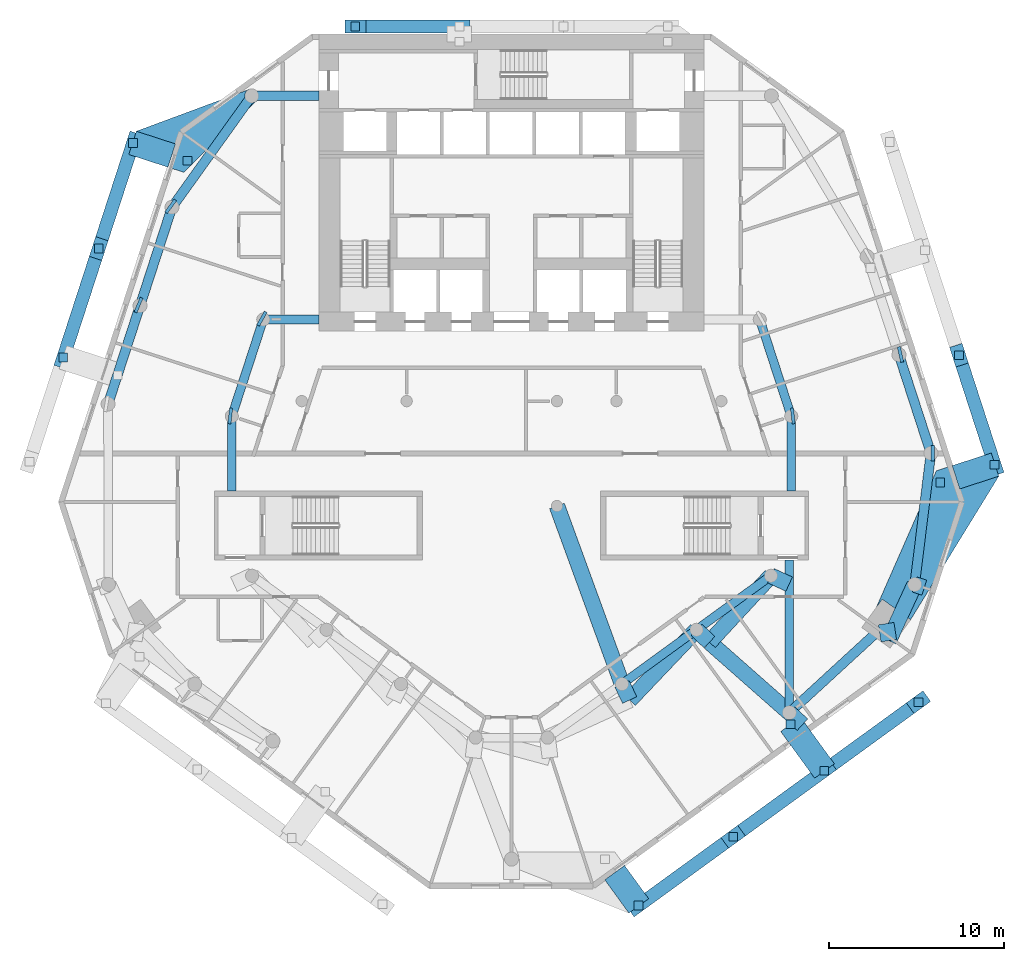
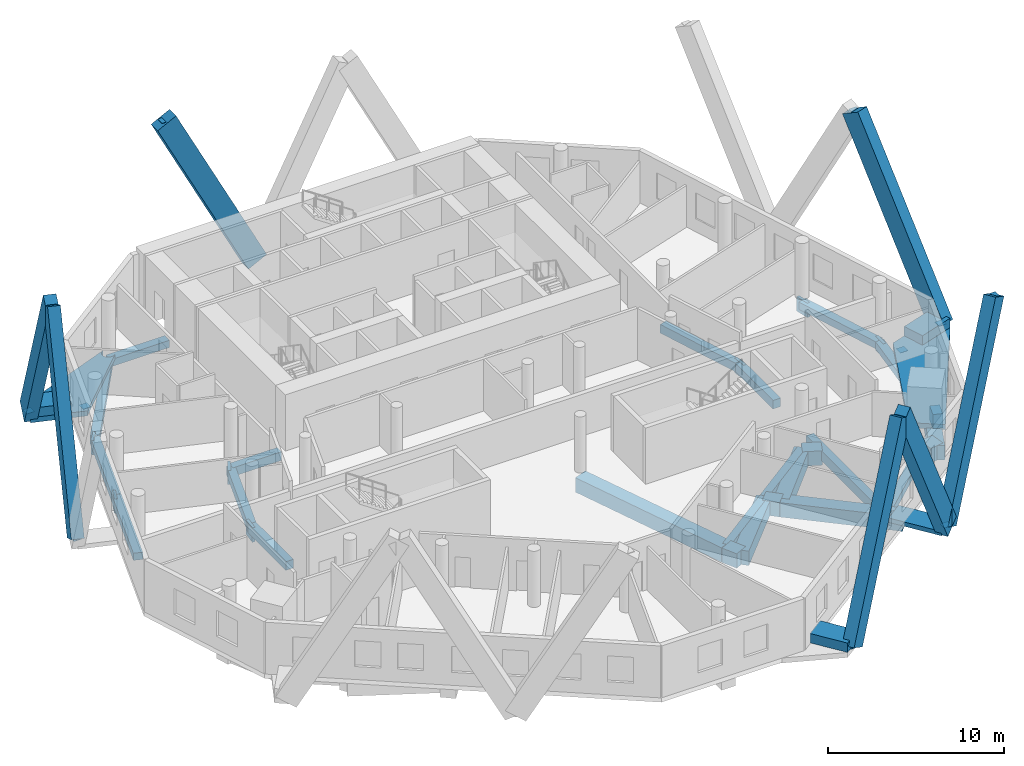
# One storey, part 2 of 11: 33 beams, 13 discrete accessories, 13 members.
"""IFC4 building model written with IfcOpenShell, lengths in metres."""

from ifc_helpers import new_model, si_unit, direction, frame, origin, origin_2d, place, context, subcontext, project, spatial, polyline, rectangle, outline, extrude, material, layer, layer_set, material_profile, profile_set, type_object, element, aggregate, save


model = new_model("IFC4")

# Units and contexts
model_context = context("Model", 3, precision=1e-05, world=origin(), true_north=direction((0.0, 1.0)))
body_context = subcontext(model_context, "Body", "Model", "MODEL_VIEW")
ifc_project = project(units=[si_unit("LENGTHUNIT", "METRE"), si_unit("AREAUNIT", "SQUARE_METRE"), si_unit("VOLUMEUNIT", "CUBIC_METRE"), si_unit("PLANEANGLEUNIT", "RADIAN"), si_unit("MASSUNIT", "GRAM", prefix="KILO")], contexts=[model_context])

# Site, building, storey
site_placement = place(None, origin())
site = spatial("IfcSite", under=ifc_project, at=site_placement, CompositionType="ELEMENT")
building_placement = place(site_placement, origin())
building = spatial("IfcBuilding", under=site, at=building_placement, Name="White Candle Pilgrim Tower", CompositionType="ELEMENT")
storey_placement = place(building_placement, frame((0.0, 0.0, 90.800048828125)))
storey = spatial("IfcBuildingStorey", under=building, at=storey_placement, Name="L19", CompositionType="ELEMENT", Elevation=90.800048828125)

# Member
ifc_material_1 = material(Name="Concrete C80/95, white", Category="concrete")
ifc_material_profile_1 = material_profile(ifc_material_1, rectangle(XDim=0.75, YDim=1.35009765625, at=origin_2d()), Name="RC-DG 750x1350")
ifc_profile_set_1 = profile_set([ifc_material_profile_1], Name="Concrete C80/95, white")
member_type_1 = type_object("IfcMemberType", Name="Exoskeleton diagonal RC-DG 750x1350 C80/95", PredefinedType="BRACE", material=ifc_profile_set_1)
member_1_placement = place(storey_placement, frame((67.02099609375, 88.425048828125, 0.0), z_axis=(-0.453783992732, 0.0, 0.891111714624), x_axis=(0.0, -1.0, 0.0)))
member_1 = element("IfcMember", 1, at=member_1_placement, inside=storey, type_object=member_type_1, Name="Exoskeleton diagonal EX063", PredefinedType="BRACE", context=body_context, shape_type="SweptSolid", body=[
    extrude(rectangle(XDim=0.75, YDim=1.35009765625, at=origin_2d()), origin(), (0.0, 0.0, 1.0), 13.129638671875),
])

member_2_placement = place(storey_placement, frame((97.630859375, 63.360107421875, 0.0), z_axis=(-0.151651158784, 0.466716850015, 0.871307814697), x_axis=(-0.951053125588, -0.309027429705, 0.0)))
member_2 = element("IfcMember", 2, at=member_2_placement, inside=storey, type_object=member_type_1, Name="Exoskeleton diagonal EX073", PredefinedType="BRACE", context=body_context, shape_type="SweptSolid", body=[
    extrude(rectangle(XDim=0.75, YDim=1.35009765625, at=origin_2d()), origin(), (0.0, 0.0, 1.0), 13.427978515625),
])

member_3_placement = place(storey_placement, frame((77.265380859375, 38.1455078125, 0.0), z_axis=(0.40163549083, 0.291812012685, 0.868063754432), x_axis=(-0.58779414841, 0.809010530893, 0.0)))
member_3 = element("IfcMember", 3, at=member_3_placement, inside=storey, type_object=member_type_1, Name="Exoskeleton diagonal EX085", PredefinedType="BRACE", context=body_context, shape_type="SweptSolid", body=[
    extrude(rectangle(XDim=0.75, YDim=1.35009765625, at=origin_2d()), origin(), (0.0, 0.0, 1.0), 13.478271484375),
])

member_4_placement = place(storey_placement, frame((87.88818359375, 45.86328125, 0.0), z_axis=(-0.390081879171, -0.283393443196, 0.876084632839), x_axis=(0.58776131811, -0.809034383036, 0.0)))
member_4 = element("IfcMember", 4, at=member_4_placement, inside=storey, type_object=member_type_1, Name="Exoskeleton diagonal EX086", PredefinedType="BRACE", context=body_context, shape_type="SweptSolid", body=[
    extrude(rectangle(XDim=0.75, YDim=1.35009765625, at=origin_2d()), origin(), (0.0, 0.0, 1.0), 13.354736328125),
])

member_5_placement = place(storey_placement, frame((87.88818359375, 45.86328125, 0.0), z_axis=(0.400432720764, 0.290936990599, 0.868912713478), x_axis=(-0.587792643256, 0.809011624474, 0.0)))
member_5 = element("IfcMember", 5, at=member_5_placement, inside=storey, type_object=member_type_1, Name="Exoskeleton diagonal EX087", PredefinedType="BRACE", context=body_context, shape_type="SweptSolid", body=[
    extrude(rectangle(XDim=0.75, YDim=1.35009765625, at=origin_2d()), origin(), (0.0, 0.0, 1.0), 13.465087890625),
])

member_6_placement = place(storey_placement, frame((48.34912109375, 81.764404296875, 0.0), z_axis=(-0.147412024037, -0.453698191423, 0.878878629999), x_axis=(0.951058644482, -0.309010444413, 0.0)))
member_6 = element("IfcMember", 6, at=member_6_placement, inside=storey, type_object=member_type_1, Name="Exoskeleton diagonal EX109", PredefinedType="BRACE", context=body_context, shape_type="SweptSolid", body=[
    extrude(rectangle(XDim=0.75, YDim=1.35009765625, at=origin_2d()), origin(), (0.0, 0.0, 1.0), 13.312255859375),
])

member_7_placement = place(storey_placement, frame((44.362548828125, 69.494873046875, 0.0), z_axis=(0.150958396212, 0.464600819702, 0.872558101759), x_axis=(-0.951056252185, 0.309017807221, 0.0)))
member_7 = element("IfcMember", 7, at=member_7_placement, inside=storey, type_object=member_type_1, Name="Exoskeleton diagonal EX110", PredefinedType="BRACE", context=body_context, shape_type="SweptSolid", body=[
    extrude(rectangle(XDim=0.75, YDim=1.35009765625, at=origin_2d()), origin(), (0.0, 0.0, 1.0), 13.40869140625),
])

ifc_material_2 = material(Name="Concrete C70/85, white", Category="concrete")
ifc_layer_1 = layer(ifc_material_2, 0.300048828125)
ifc_layer_set_1 = layer_set([ifc_layer_1], Name="Node tie strut 3300x1400x300 C70/85")
member_type_2 = type_object("IfcMemberType", Name="Node tie strut 3300x1400x300 C70/85", PredefinedType="STRUT", material=ifc_layer_set_1)
member_8_placement = place(storey_placement, frame((0.0, 0.0, -0.35009765625)))
member_8 = element("IfcMember", 8, at=member_8_placement, inside=storey, type_object=member_type_2, Name="Node tie strut NC051", PredefinedType="STRUT", context=body_context, shape_type="SweptSolid", body=[
    extrude(outline(polyline([(92.826904296875, 54.4912109375), (97.870849609375, 62.7021484375), (97.438232421875, 64.03369140625), (94.2998046875, 63.013916015625), (90.859130859375, 55.185791015625), (91.208740234375, 55.666748046875), (92.826904296875, 54.4912109375)])), origin(), (0.0, 0.0, 1.0), 0.35009765625),
])

# Members
member_9_placement = place(storey_placement, origin())
element("IfcMember", 9, at=member_9_placement, inside=storey, type_object=member_type_2, Name="Node tie strut NC051", PredefinedType="STRUT", context=body_context, shape_type="SweptSolid", body=[
    extrude(outline(polyline([(95.635986328125, 61.97607421875), (97.870849609375, 62.7021484375), (97.438232421875, 64.03369140625), (95.203369140625, 63.3076171875), (95.635986328125, 61.97607421875)])), origin(), (0.0, 0.0, 1.0), 0.64990234375),
])
member_10_placement = place(storey_placement, origin())
element("IfcMember", 10, at=member_10_placement, inside=storey, type_object=member_type_2, Name="Node tie strut NC055", PredefinedType="STRUT", context=body_context, shape_type="SweptSolid", body=[
    extrude(outline(polyline([(76.713623046875, 37.7138671875), (77.84619140625, 38.53662109375), (76.465087890625, 40.437744140625), (75.33251953125, 39.614990234375), (76.713623046875, 37.7138671875)])), origin(), (0.0, 0.0, 1.0), 0.64990234375),
])

# Member
member_11_placement = place(storey_placement, frame((86.93310546875, 47.177978515625, -0.30029296875), z_axis=(0.0, 0.0, 1.0), x_axis=(0.809016994375, 0.587785252292, 0.0)))
member_11 = element("IfcMember", 11, at=member_11_placement, inside=storey, type_object=member_type_2, Name="Node tie strut NC056", PredefinedType="STRUT", context=body_context, shape_type="SweptSolid", body=[
    extrude(rectangle(XDim=1.39990234375, YDim=3.300048828125, at=origin_2d()), origin(), (0.0, 0.0, 1.0), 0.300048828125),
])

member_12_placement = place(storey_placement, frame((0.0, 0.0, -0.35009765625)))
member_12 = element("IfcMember", 12, at=member_12_placement, inside=storey, type_object=member_type_2, Name="Node tie strut NC059", PredefinedType="STRUT", context=body_context, shape_type="SweptSolid", body=[
    extrude(outline(polyline([(51.247314453125, 80.086669921875), (55.4228515625, 84.17724609375), (55.40380859375, 84.1591796875), (55.383544921875, 84.142578125), (55.3623046875, 84.12744140625), (55.340087890625, 84.113525390625), (55.31689453125, 84.101318359375), (55.293212890625, 84.09033203125), (55.2685546875, 84.081298828125), (55.243408203125, 84.073486328125), (55.218017578125, 84.067626953125), (55.192138671875, 84.0634765625), (55.166259765625, 84.060791015625), (55.139892578125, 84.06005859375), (55.11376953125, 84.060791015625), (55.087890625, 84.0634765625), (55.06201171875, 84.067626953125), (55.03662109375, 84.073486328125), (55.011474609375, 84.081298828125), (54.98681640625, 84.09033203125), (54.963134765625, 84.101318359375), (54.93994140625, 84.113525390625), (54.917724609375, 84.12744140625), (54.896484375, 84.142578125), (54.876220703125, 84.1591796875), (54.857177734375, 84.17724609375), (54.83935546875, 84.1962890625), (54.82275390625, 84.216552734375), (54.807373046875, 84.23779296875), (54.793701171875, 84.260009765625), (54.78125, 84.283203125), (54.7705078125, 84.306884765625), (54.76123046875, 84.331298828125), (54.753662109375, 84.3564453125), (54.747802734375, 84.382080078125), (54.743408203125, 84.40771484375), (54.740966796875, 84.433837890625), (54.739990234375, 84.4599609375), (54.740966796875, 84.486083984375), (54.743408203125, 84.51220703125), (54.747802734375, 84.5380859375), (54.753662109375, 84.5634765625), (54.76123046875, 84.588623046875), (54.7705078125, 84.613037109375), (54.78125, 84.636962890625), (54.793701171875, 84.659912109375), (54.807373046875, 84.68212890625), (54.82275390625, 84.70361328125), (54.83935546875, 84.7236328125), (54.857177734375, 84.742919921875), (54.876220703125, 84.7607421875), (54.896484375, 84.77734375), (54.917724609375, 84.79248046875), (54.93994140625, 84.806396484375), (54.963134765625, 84.818603515625), (54.98681640625, 84.82958984375), (55.011474609375, 84.8388671875), (48.54150390625, 82.437744140625), (48.10888671875, 81.106201171875), (51.247314453125, 80.086669921875)])), origin(), (0.0, 0.0, 1.0), 0.35009765625),
])

member_13_placement = place(storey_placement, origin())
element("IfcMember", 13, at=member_13_placement, inside=storey, type_object=member_type_2, Name="Node tie strut NC059", PredefinedType="STRUT", context=body_context, shape_type="SweptSolid", body=[
    extrude(outline(polyline([(50.343994140625, 80.380126953125), (50.776611328125, 81.711669921875), (48.54150390625, 82.437744140625), (48.10888671875, 81.106201171875), (50.343994140625, 80.380126953125)])), origin(), (0.0, 0.0, 1.0), 0.64990234375),
])

# Beams
ifc_material_3 = material(Name="Concrete C50/60", Category="concrete")
ifc_material_profile_2 = material_profile(ifc_material_3, rectangle(XDim=0.5, YDim=0.60009765625, at=origin_2d()), Name="RC-BM 500x600")
ifc_profile_set_2 = profile_set([ifc_material_profile_2], Name="Concrete C50/60")
beam_type_1 = type_object("IfcBeamType", Name="Ring beam RC-BM 500x600 C50/60", PredefinedType="BEAM", material=ifc_profile_set_2)
beam_1_placement = place(storey_placement, frame((76.320068359375, 50.820068359375, -0.60009765625), z_axis=(0.808585766175, 0.588378329596, 0.0), x_axis=(-0.588378329596, 0.808585766175, 0.0)))
element("IfcBeam", 14, at=beam_1_placement, inside=storey, type_object=beam_type_1, Name="L19 ring beam R06", PredefinedType="BEAM", context=body_context, shape_type="SweptSolid", body=[
    extrude(rectangle(XDim=0.5, YDim=0.60009765625, at=origin_2d()), origin(), (0.0, 0.0, 1.0), 5.2685546875),
])
beam_2_placement = place(storey_placement, frame((80.580078125, 53.919921875, -0.60009765625), z_axis=(0.809467675096, 0.587164442873, 0.0), x_axis=(-0.587164442873, 0.809467675096, 0.0)))
element("IfcBeam", 15, at=beam_2_placement, inside=storey, type_object=beam_type_1, Name="L19 ring beam R07", PredefinedType="BEAM", context=body_context, shape_type="SweptSolid", body=[
    extrude(rectangle(XDim=0.5, YDim=0.60009765625, at=origin_2d()), origin(), (0.0, 0.0, 1.0), 5.2626953125),
])
beam_3_placement = place(storey_placement, frame((86.0, 66.139892578125, -0.60009765625), z_axis=(0.0, -1.0, 0.0), x_axis=(1.0, 0.0, 0.0)))
element("IfcBeam", 16, at=beam_3_placement, inside=storey, type_object=beam_type_1, Name="L19 ring beam R08", PredefinedType="BEAM", context=body_context, shape_type="SweptSolid", body=[
    extrude(rectangle(XDim=0.5, YDim=0.60009765625, at=origin_2d()), origin(), (0.0, 0.0, 1.0), 4.289794921875),
])
beam_4_placement = place(storey_placement, frame((86.0, 66.139892578125, -0.60009765625), z_axis=(-0.309519843253, 0.950892983796, 0.0), x_axis=(-0.950892983796, -0.309519843253, 0.0)))
element("IfcBeam", 17, at=beam_4_placement, inside=storey, type_object=beam_type_1, Name="L19 ring beam R09", PredefinedType="BEAM", context=body_context, shape_type="SweptSolid", body=[
    extrude(rectangle(XDim=0.5, YDim=0.60009765625, at=origin_2d()), origin(), (0.0, 0.0, 1.0), 5.815673828125),
])
beam_5_placement = place(storey_placement, frame((55.800048828125, 71.669921875, -0.60009765625), z_axis=(1.0, 0.0, 0.0), x_axis=(0.0, 1.0, 0.0)))
element("IfcBeam", 18, at=beam_5_placement, inside=storey, type_object=beam_type_1, Name="L19 ring beam R11", PredefinedType="BEAM", context=body_context, shape_type="SweptSolid", body=[
    extrude(rectangle(XDim=0.5, YDim=0.60009765625, at=origin_2d()), origin(), (0.0, 0.0, 1.0), 3.199951171875),
])
beam_6_placement = place(storey_placement, frame((55.800048828125, 71.669921875, -0.60009765625), z_axis=(-0.309519843253, -0.950892983796, 0.0), x_axis=(0.950892983796, -0.309519843253, 0.0)))
element("IfcBeam", 19, at=beam_6_placement, inside=storey, type_object=beam_type_1, Name="L19 ring beam R12", PredefinedType="BEAM", context=body_context, shape_type="SweptSolid", body=[
    extrude(rectangle(XDim=0.5, YDim=0.60009765625, at=origin_2d()), origin(), (0.0, 0.0, 1.0), 5.815673828125),
])
beam_7_placement = place(storey_placement, frame((54.0, 66.139892578125, -0.60009765625), z_axis=(0.0, -1.0, 0.0), x_axis=(1.0, 0.0, 0.0)))
element("IfcBeam", 20, at=beam_7_placement, inside=storey, type_object=beam_type_1, Name="L19 ring beam R13", PredefinedType="BEAM", context=body_context, shape_type="SweptSolid", body=[
    extrude(rectangle(XDim=0.5, YDim=0.60009765625, at=origin_2d()), origin(), (0.0, 0.0, 1.0), 4.289794921875),
])
ifc_material_profile_3 = material_profile(ifc_material_3, rectangle(XDim=0.5, YDim=0.699951171875, at=origin_2d()), Name="RC-BM 500x700")
ifc_profile_set_3 = profile_set([ifc_material_profile_3], Name="Concrete C50/60")
beam_type_2 = type_object("IfcBeamType", Name="Spandrel beam RC-BM 500x700 C50/60", PredefinedType="BEAM", material=ifc_profile_set_3)
beam_8_placement = place(storey_placement, frame((85.889892578125, 49.179931640625, -0.650146484375), z_axis=(0.0, 1.0, 0.0), x_axis=(-1.0, 0.0, 0.0)))
element("IfcBeam", 21, at=beam_8_placement, inside=storey, type_object=beam_type_2, Name="L19 spandrel beam T04", PredefinedType="BEAM", context=body_context, shape_type="SweptSolid", body=[
    extrude(rectangle(XDim=0.5, YDim=0.699951171875, at=origin_2d()), origin(), (0.0, 0.0, 1.0), 8.719970703125),
])
ifc_material_profile_4 = material_profile(ifc_material_3, rectangle(XDim=0.550048828125, YDim=0.5, at=origin_2d()), Name="RC-BM 550x500")
ifc_profile_set_4 = profile_set([ifc_material_profile_4], Name="Concrete C50/60")
beam_type_3 = type_object("IfcBeamType", Name="Spandrel beam RC-BM 550x500 C50/60", PredefinedType="BEAM", material=ifc_profile_set_4)
beam_9_placement = place(storey_placement, frame((85.889892578125, 49.179931640625, -0.550048828125), z_axis=(0.736377769558, 0.676570602746, 0.0), x_axis=(-0.676570602746, 0.736377769558, 0.0)))
element("IfcBeam", 22, at=beam_9_placement, inside=storey, type_object=beam_type_3, Name="L19 spandrel beam T05", PredefinedType="BEAM", context=body_context, shape_type="SweptSolid", body=[
    extrude(rectangle(XDim=0.550048828125, YDim=0.5, at=origin_2d()), origin(), (0.0, 0.0, 1.0), 7.5234375),
])
beam_10_placement = place(storey_placement, frame((93.06005859375, 56.510009765625, -0.550048828125), z_axis=(0.122887106398, 0.992420656315, 0.0), x_axis=(-0.992420656315, 0.122887106398, 0.0)))
element("IfcBeam", 23, at=beam_10_placement, inside=storey, type_object=beam_type_3, Name="L19 spandrel beam T07", PredefinedType="BEAM", context=body_context, shape_type="SweptSolid", body=[
    extrude(rectangle(XDim=0.550048828125, YDim=0.5, at=origin_2d()), origin(), (0.0, 0.0, 1.0), 7.5673828125),
])
beam_11_placement = place(storey_placement, frame((93.989990234375, 64.02001953125, -0.550048828125), z_axis=(-0.309142023321, 0.951015882842, 0.0), x_axis=(-0.951015882842, -0.309142023321, 0.0)))
element("IfcBeam", 24, at=beam_11_placement, inside=storey, type_object=beam_type_3, Name="L19 spandrel beam T08", PredefinedType="BEAM", context=body_context, shape_type="SweptSolid", body=[
    extrude(rectangle(XDim=0.550048828125, YDim=0.5, at=origin_2d()), origin(), (0.0, 0.0, 1.0), 5.919921875),
])
beam_12_placement = place(storey_placement, frame((55.139892578125, 84.4599609375, -0.550048828125), z_axis=(1.0, 0.0, 0.0), x_axis=(0.0, 1.0, 0.0)))
element("IfcBeam", 25, at=beam_12_placement, inside=storey, type_object=beam_type_3, Name="L19 spandrel beam T12", PredefinedType="BEAM", context=body_context, shape_type="SweptSolid", body=[
    extrude(rectangle(XDim=0.550048828125, YDim=0.5, at=origin_2d()), origin(), (0.0, 0.0, 1.0), 3.860107421875),
])
beam_13_placement = place(storey_placement, frame((55.139892578125, 84.4599609375, -0.550048828125), z_axis=(-0.582075138826, -0.813135002789, 0.0), x_axis=(0.813135002789, -0.582075138826, 0.0)))
element("IfcBeam", 26, at=beam_13_placement, inside=storey, type_object=beam_type_3, Name="L19 spandrel beam T13", PredefinedType="BEAM", context=body_context, shape_type="SweptSolid", body=[
    extrude(rectangle(XDim=0.550048828125, YDim=0.5, at=origin_2d()), origin(), (0.0, 0.0, 1.0), 7.833740234375),
])
beam_14_placement = place(storey_placement, frame((50.580078125, 78.090087890625, -0.550048828125), z_axis=(-0.30912989898, -0.951019823956, 0.0), x_axis=(0.951019823956, -0.30912989898, 0.0)))
element("IfcBeam", 27, at=beam_14_placement, inside=storey, type_object=beam_type_3, Name="L19 spandrel beam T14", PredefinedType="BEAM", context=body_context, shape_type="SweptSolid", body=[
    extrude(rectangle(XDim=0.550048828125, YDim=0.5, at=origin_2d()), origin(), (0.0, 0.0, 1.0), 5.920166015625),
])
beam_15_placement = place(storey_placement, frame((48.75, 72.4599609375, -0.550048828125), z_axis=(-0.309142023321, -0.951015882842, 0.0), x_axis=(0.951015882842, -0.309142023321, 0.0)))
element("IfcBeam", 28, at=beam_15_placement, inside=storey, type_object=beam_type_3, Name="L19 spandrel beam T15", PredefinedType="BEAM", context=body_context, shape_type="SweptSolid", body=[
    extrude(rectangle(XDim=0.550048828125, YDim=0.5, at=origin_2d()), origin(), (0.0, 0.0, 1.0), 5.919921875),
])
ifc_material_profile_5 = material_profile(ifc_material_3, rectangle(XDim=0.89990234375, YDim=1.0, at=origin_2d()), Name="RC-BM 900x1000")
ifc_profile_set_5 = profile_set([ifc_material_profile_5], Name="Concrete C50/60")
beam_type_4 = type_object("IfcBeamType", Name="Transfer girder RC-BM 900x1000 C50/60", PredefinedType="BEAM", material=ifc_profile_set_5)
beam_16_placement = place(storey_placement, frame((85.8798828125, 56.530029296875, -0.800048828125), z_axis=(-0.90793442521, 0.419112251693, 0.0), x_axis=(-0.419112251693, -0.90793442521, 0.0)))
element("IfcBeam", 29, at=beam_16_placement, inside=storey, type_object=beam_type_4, Name="L19 transfer girder X09", PredefinedType="BEAM", context=body_context, shape_type="SweptSolid", body=[
    extrude(rectangle(XDim=0.89990234375, YDim=1.0, at=origin_2d()), origin(), (0.0, 0.0, 1.0), 1.145263671875),
])
beam_17_placement = place(storey_placement, frame((84.840087890625, 57.010009765625, -0.800048828125), z_axis=(-0.679559336008, -0.73362054827, 0.0), x_axis=(0.73362054827, -0.679559336008, 0.0)))
element("IfcBeam", 30, at=beam_17_placement, inside=storey, type_object=beam_type_4, Name="L19 transfer girder X10", PredefinedType="BEAM", context=body_context, shape_type="SweptSolid", body=[
    extrude(rectangle(XDim=0.89990234375, YDim=1.0, at=origin_2d()), origin(), (0.0, 0.0, 1.0), 5.179931640625),
])
beam_18_placement = place(storey_placement, frame((81.320068359375, 53.2099609375, -0.800048828125), z_axis=(-0.721596617107, 0.692313745479, 0.0), x_axis=(-0.692313745479, -0.721596617107, 0.0)))
element("IfcBeam", 31, at=beam_18_placement, inside=storey, type_object=beam_type_4, Name="L19 transfer girder X15", PredefinedType="BEAM", context=body_context, shape_type="SweptSolid", body=[
    extrude(rectangle(XDim=0.89990234375, YDim=1.0, at=origin_2d()), origin(), (0.0, 0.0, 1.0), 1.025390625),
])
beam_19_placement = place(storey_placement, frame((80.580078125, 53.919921875, -0.800048828125), z_axis=(-0.688848958551, -0.724904898799, 0.0), x_axis=(0.724904898799, -0.688848958551, 0.0)))
element("IfcBeam", 32, at=beam_19_placement, inside=storey, type_object=beam_type_4, Name="L19 transfer girder X16", PredefinedType="BEAM", context=body_context, shape_type="SweptSolid", body=[
    extrude(rectangle(XDim=0.89990234375, YDim=1.0, at=origin_2d()), origin(), (0.0, 0.0, 1.0), 5.545654296875),
])
beam_20_placement = place(storey_placement, frame((76.760009765625, 49.89990234375, -0.800048828125), z_axis=(-0.431345383726, 0.902186876394, 0.0), x_axis=(-0.902186876394, -0.431345383726, 0.0)))
element("IfcBeam", 33, at=beam_20_placement, inside=storey, type_object=beam_type_4, Name="L19 transfer girder X17", PredefinedType="BEAM", context=body_context, shape_type="SweptSolid", body=[
    extrude(rectangle(XDim=0.89990234375, YDim=1.0, at=origin_2d()), origin(), (0.0, 0.0, 1.0), 1.02001953125),
])
beam_21_placement = place(storey_placement, frame((76.320068359375, 50.820068359375, -0.800048828125), z_axis=(-0.343223908104, 0.939253612666, 0.0), x_axis=(-0.939253612666, -0.343223908104, 0.0)))
element("IfcBeam", 34, at=beam_21_placement, inside=storey, type_object=beam_type_4, Name="L19 transfer girder X18", PredefinedType="BEAM", context=body_context, shape_type="SweptSolid", body=[
    extrude(rectangle(XDim=0.89990234375, YDim=1.0, at=origin_2d()), origin(), (0.0, 0.0, 1.0), 10.83837890625),
])
beam_22_placement = place(storey_placement, frame((86.639892578125, 48.489990234375, -0.800048828125), z_axis=(-0.735959659879, 0.677025390241, 0.0), x_axis=(-0.677025390241, -0.735959659879, 0.0)))
element("IfcBeam", 35, at=beam_22_placement, inside=storey, type_object=beam_type_4, Name="L19 transfer girder X21", PredefinedType="BEAM", context=body_context, shape_type="SweptSolid", body=[
    extrude(rectangle(XDim=0.89990234375, YDim=1.0, at=origin_2d()), origin(), (0.0, 0.0, 1.0), 1.01904296875),
])
beam_23_placement = place(storey_placement, frame((85.889892578125, 49.179931640625, -0.800048828125), z_axis=(-0.750014397983, 0.66142150163, 0.0), x_axis=(-0.66142150163, -0.750014397983, 0.0)))
element("IfcBeam", 36, at=beam_23_placement, inside=storey, type_object=beam_type_4, Name="L19 transfer girder X22", PredefinedType="BEAM", context=body_context, shape_type="SweptSolid", body=[
    extrude(rectangle(XDim=0.89990234375, YDim=1.0, at=origin_2d()), origin(), (0.0, 0.0, 1.0), 6.093017578125),
])
beam_24_placement = place(storey_placement, frame((91.580078125, 53.300048828125, -0.800048828125), z_axis=(-0.15297298713, 0.988230370515, 0.0), x_axis=(-0.988230370515, -0.15297298713, 0.0)))
element("IfcBeam", 37, at=beam_24_placement, inside=storey, type_object=beam_type_4, Name="L19 transfer girder X26", PredefinedType="BEAM", context=body_context, shape_type="SweptSolid", body=[
    extrude(rectangle(XDim=0.89990234375, YDim=1.0, at=origin_2d()), origin(), (0.0, 0.0, 1.0), 0.9814453125),
])
beam_25_placement = place(storey_placement, frame((93.610107421875, 56.330078125, -0.800048828125), z_axis=(-0.950440199817, 0.310907424441, 0.0), x_axis=(-0.310907424441, -0.950440199817, 0.0)))
element("IfcBeam", 38, at=beam_25_placement, inside=storey, type_object=beam_type_4, Name="L19 transfer girder X29", PredefinedType="BEAM", context=body_context, shape_type="SweptSolid", body=[
    extrude(rectangle(XDim=0.89990234375, YDim=1.0, at=origin_2d()), origin(), (0.0, 0.0, 1.0), 0.57861328125),
])
beam_26_placement = place(storey_placement, frame((93.06005859375, 56.510009765625, -0.800048828125), z_axis=(-0.418698983555, -0.908125080135, 0.0), x_axis=(0.908125080135, -0.418698983555, 0.0)))
element("IfcBeam", 39, at=beam_26_placement, inside=storey, type_object=beam_type_4, Name="L19 transfer girder X30", PredefinedType="BEAM", context=body_context, shape_type="SweptSolid", body=[
    extrude(rectangle(XDim=0.89990234375, YDim=1.0, at=origin_2d()), origin(), (0.0, 0.0, 1.0), 3.53466796875),
])
beam_27_placement = place(storey_placement, frame((94.179931640625, 64.02001953125, -0.800048828125), z_axis=(-1.0, 0.0, 0.0), x_axis=(0.0, -1.0, 0.0)))
element("IfcBeam", 40, at=beam_27_placement, inside=storey, type_object=beam_type_4, Name="L19 transfer girder X31", PredefinedType="BEAM", context=body_context, shape_type="SweptSolid", body=[
    extrude(rectangle(XDim=0.89990234375, YDim=1.0, at=origin_2d()), origin(), (0.0, 0.0, 1.0), 0.18994140625),
])
beam_28_placement = place(storey_placement, frame((50.429931640625, 78.199951171875, -0.800048828125), z_axis=(0.807030325658, -0.590509994384, 0.0), x_axis=(0.590509994384, 0.807030325658, 0.0)))
element("IfcBeam", 41, at=beam_28_placement, inside=storey, type_object=beam_type_4, Name="L19 transfer girder X32", PredefinedType="BEAM", context=body_context, shape_type="SweptSolid", body=[
    extrude(rectangle(XDim=0.89990234375, YDim=1.0, at=origin_2d()), origin(), (0.0, 0.0, 1.0), 0.18603515625),
])
beam_29_placement = place(storey_placement, frame((92.340087890625, 69.68994140625, -0.800048828125), z_axis=(-0.976187060184, -0.216930457819, 0.0), x_axis=(0.216930457819, -0.976187060184, 0.0)))
element("IfcBeam", 42, at=beam_29_placement, inside=storey, type_object=beam_type_4, Name="L19 transfer girder X33", PredefinedType="BEAM", context=body_context, shape_type="SweptSolid", body=[
    extrude(rectangle(XDim=0.89990234375, YDim=1.0, at=origin_2d()), origin(), (0.0, 0.0, 1.0), 0.1845703125),
])
for number, where, z_axis, x_axis, name in (
    (43, (48.580078125, 72.530029296875, -0.800048828125), (0.924485418389, -0.381217406721, 0.0), (0.381217406721, 0.924485418389, 0.0), "L19 transfer girder X34"),
    (44, (55.639892578125, 71.760009765625, -0.800048828125), (0.871575537125, -0.490261239633, 0.0), (0.490261239633, 0.871575537125, 0.0), "L19 transfer girder X37"),
):
    element("IfcBeam", number, at=place(storey_placement, frame(where, z_axis=z_axis, x_axis=x_axis)), inside=storey, type_object=beam_type_4, Name=name, PredefinedType="BEAM", context=body_context, shape_type="SweptSolid", body=[
        extrude(rectangle(XDim=0.89990234375, YDim=1.0, at=origin_2d()), origin(), (0.0, 0.0, 1.0), 0.183837890625),
    ])
for number, where, z_axis, x_axis, name in (
    (45, (86.179931640625, 66.159912109375, -0.800048828125), (-0.993867278154, -0.11057953434, 0.0), (0.11057953434, -0.993867278154, 0.0), "L19 transfer girder X39"),
    (46, (53.820068359375, 66.159912109375, -0.800048828125), (0.993867278154, -0.11057953434, 0.0), (0.11057953434, 0.993867278154, 0.0), "L19 transfer girder X40"),
):
    element("IfcBeam", number, at=place(storey_placement, frame(where, z_axis=z_axis, x_axis=x_axis)), inside=storey, type_object=beam_type_4, Name=name, PredefinedType="BEAM", context=body_context, shape_type="SweptSolid", body=[
        extrude(rectangle(XDim=0.89990234375, YDim=1.0, at=origin_2d()), origin(), (0.0, 0.0, 1.0), 0.18115234375),
    ])

# Discrete accessory
ifc_material_4 = material(Name="Steel S355", Category="steel")
ifc_layer_2 = layer(ifc_material_4, 0.02490234375)
ifc_layer_set_2 = layer_set([ifc_layer_2], Name="Gusset plate 500x500x25 S355")
discrete_accessory_type = type_object("IfcDiscreteAccessoryType", Name="Gusset plate 500x500x25 S355", PredefinedType="BRACKET", material=ifc_layer_set_2)
placement = place(building_placement, frame((0.0, 0.0, 102.5)))
discrete_accessory_1_placement = place(placement, frame((61.06298828125, 88.425048828125, -0.012451171875), z_axis=(0.0, 0.0, 1.0), x_axis=(1.0, 0.0, 0.0)))
discrete_accessory_1 = element("IfcDiscreteAccessory", 47, at=discrete_accessory_1_placement, type_object=discrete_accessory_type, Name="Gusset plate 0072", PredefinedType="BRACKET", context=body_context, shape_type="SweptSolid", body=[
    extrude(rectangle(XDim=0.5, YDim=0.5, at=origin_2d()), origin(), (0.0, 0.0, 1.0), 0.02490234375),
])

aggregate(member_1, [discrete_accessory_1])

discrete_accessory_2_placement = place(storey_placement, frame((97.630859375, 63.360107421875, -0.012451171875), z_axis=(0.0, 0.0, 1.0), x_axis=(1.0, 0.0, 0.0)))
discrete_accessory_2 = element("IfcDiscreteAccessory", 48, at=discrete_accessory_2_placement, type_object=discrete_accessory_type, Name="Gusset plate 0079", PredefinedType="BRACKET", context=body_context, shape_type="SweptSolid", body=[
    extrude(rectangle(XDim=0.5, YDim=0.5, at=origin_2d()), origin(), (0.0, 0.0, 1.0), 0.02490234375),
])

discrete_accessory_3_placement = place(placement, frame((95.594482421875, 69.627197265625, -0.012451171875), z_axis=(0.0, 0.0, 1.0), x_axis=(1.0, 0.0, 0.0)))
discrete_accessory_3 = element("IfcDiscreteAccessory", 49, at=discrete_accessory_3_placement, type_object=discrete_accessory_type, Name="Gusset plate 0080", PredefinedType="BRACKET", context=body_context, shape_type="SweptSolid", body=[
    extrude(rectangle(XDim=0.5, YDim=0.5, at=origin_2d()), origin(), (0.0, 0.0, 1.0), 0.02490234375),
])

aggregate(member_2, [discrete_accessory_2, discrete_accessory_3])

discrete_accessory_4_placement = place(storey_placement, frame((77.265380859375, 38.1455078125, -0.012451171875), z_axis=(0.0, 0.0, 1.0), x_axis=(1.0, 0.0, 0.0)))
discrete_accessory_4 = element("IfcDiscreteAccessory", 50, at=discrete_accessory_4_placement, type_object=discrete_accessory_type, Name="Gusset plate 0090", PredefinedType="BRACKET", context=body_context, shape_type="SweptSolid", body=[
    extrude(rectangle(XDim=0.5, YDim=0.5, at=origin_2d()), origin(), (0.0, 0.0, 1.0), 0.02490234375),
])

discrete_accessory_5_placement = place(placement, frame((82.6787109375, 42.07861328125, -0.012451171875), z_axis=(0.0, 0.0, 1.0), x_axis=(1.0, 0.0, 0.0)))
discrete_accessory_5 = element("IfcDiscreteAccessory", 51, at=discrete_accessory_5_placement, type_object=discrete_accessory_type, Name="Gusset plate 0091", PredefinedType="BRACKET", context=body_context, shape_type="SweptSolid", body=[
    extrude(rectangle(XDim=0.5, YDim=0.5, at=origin_2d()), origin(), (0.0, 0.0, 1.0), 0.02490234375),
])

aggregate(member_3, [discrete_accessory_4, discrete_accessory_5])

discrete_accessory_6_placement = place(storey_placement, frame((87.88818359375, 45.86328125, -0.012451171875), z_axis=(0.0, 0.0, 1.0), x_axis=(1.0, 0.0, 0.0)))
discrete_accessory_6 = element("IfcDiscreteAccessory", 52, at=discrete_accessory_6_placement, type_object=discrete_accessory_type, Name="Gusset plate 0092", PredefinedType="BRACKET", context=body_context, shape_type="SweptSolid", body=[
    extrude(rectangle(XDim=0.5, YDim=0.5, at=origin_2d()), origin(), (0.0, 0.0, 1.0), 0.02490234375),
])

aggregate(member_4, [discrete_accessory_6])

discrete_accessory_7_placement = place(placement, frame((93.280029296875, 49.78076171875, -0.012451171875), z_axis=(0.0, 0.0, 1.0), x_axis=(1.0, 0.0, 0.0)))
discrete_accessory_7 = element("IfcDiscreteAccessory", 53, at=discrete_accessory_7_placement, type_object=discrete_accessory_type, Name="Gusset plate 0093", PredefinedType="BRACKET", context=body_context, shape_type="SweptSolid", body=[
    extrude(rectangle(XDim=0.5, YDim=0.5, at=origin_2d()), origin(), (0.0, 0.0, 1.0), 0.02490234375),
])

aggregate(member_5, [discrete_accessory_7])

discrete_accessory_8_placement = place(storey_placement, frame((48.34912109375, 81.764404296875, -0.012451171875), z_axis=(0.0, 0.0, 1.0), x_axis=(1.0, 0.0, 0.0)))
discrete_accessory_8 = element("IfcDiscreteAccessory", 54, at=discrete_accessory_8_placement, type_object=discrete_accessory_type, Name="Gusset plate 0122", PredefinedType="BRACKET", context=body_context, shape_type="SweptSolid", body=[
    extrude(rectangle(XDim=0.5, YDim=0.5, at=origin_2d()), origin(), (0.0, 0.0, 1.0), 0.02490234375),
])

discrete_accessory_9_placement = place(placement, frame((46.38671875, 75.724609375, -0.012451171875), z_axis=(0.0, 0.0, 1.0), x_axis=(1.0, 0.0, 0.0)))
discrete_accessory_9 = element("IfcDiscreteAccessory", 55, at=discrete_accessory_9_placement, type_object=discrete_accessory_type, Name="Gusset plate 0123", PredefinedType="BRACKET", context=body_context, shape_type="SweptSolid", body=[
    extrude(rectangle(XDim=0.5, YDim=0.5, at=origin_2d()), origin(), (0.0, 0.0, 1.0), 0.02490234375),
])

aggregate(member_6, [discrete_accessory_8, discrete_accessory_9])

discrete_accessory_10_placement = place(storey_placement, frame((44.362548828125, 69.494873046875, -0.012451171875), z_axis=(0.0, 0.0, 1.0), x_axis=(1.0, 0.0, 0.0)))
discrete_accessory_10 = element("IfcDiscreteAccessory", 56, at=discrete_accessory_10_placement, type_object=discrete_accessory_type, Name="Gusset plate 0124", PredefinedType="BRACKET", context=body_context, shape_type="SweptSolid", body=[
    extrude(rectangle(XDim=0.5, YDim=0.5, at=origin_2d()), origin(), (0.0, 0.0, 1.0), 0.02490234375),
])

aggregate(member_7, [discrete_accessory_10])

discrete_accessory_11_placement = place(storey_placement, frame((94.51611328125, 62.34814453125, -0.16259765625), z_axis=(0.0, 0.0, 1.0), x_axis=(1.0, 0.0, 0.0)))
discrete_accessory_11 = element("IfcDiscreteAccessory", 57, at=discrete_accessory_11_placement, type_object=discrete_accessory_type, Name="Gusset plate 0432", PredefinedType="BRACKET", context=body_context, shape_type="SweptSolid", body=[
    extrude(rectangle(XDim=0.5, YDim=0.5, at=origin_2d()), origin(), (0.0, 0.0, 1.0), 0.02490234375),
])

aggregate(member_8, [discrete_accessory_11])

discrete_accessory_12_placement = place(storey_placement, frame((85.963134765625, 48.512939453125, -0.16259765625), z_axis=(0.0, 0.0, 1.0), x_axis=(1.0, 0.0, 0.0)))
discrete_accessory_12 = element("IfcDiscreteAccessory", 58, at=discrete_accessory_12_placement, type_object=discrete_accessory_type, Name="Gusset plate 0437", PredefinedType="BRACKET", context=body_context, shape_type="SweptSolid", body=[
    extrude(rectangle(XDim=0.5, YDim=0.5, at=origin_2d()), origin(), (0.0, 0.0, 1.0), 0.02490234375),
])

aggregate(member_11, [discrete_accessory_12])

discrete_accessory_13_placement = place(storey_placement, frame((51.463623046875, 80.752197265625, -0.16259765625), z_axis=(0.0, 0.0, 1.0), x_axis=(1.0, 0.0, 0.0)))
discrete_accessory_13 = element("IfcDiscreteAccessory", 59, at=discrete_accessory_13_placement, type_object=discrete_accessory_type, Name="Gusset plate 0440", PredefinedType="BRACKET", context=body_context, shape_type="SweptSolid", body=[
    extrude(rectangle(XDim=0.5, YDim=0.5, at=origin_2d()), origin(), (0.0, 0.0, 1.0), 0.02490234375),
])

aggregate(member_12, [discrete_accessory_13])

save(model, "model.ifc")
